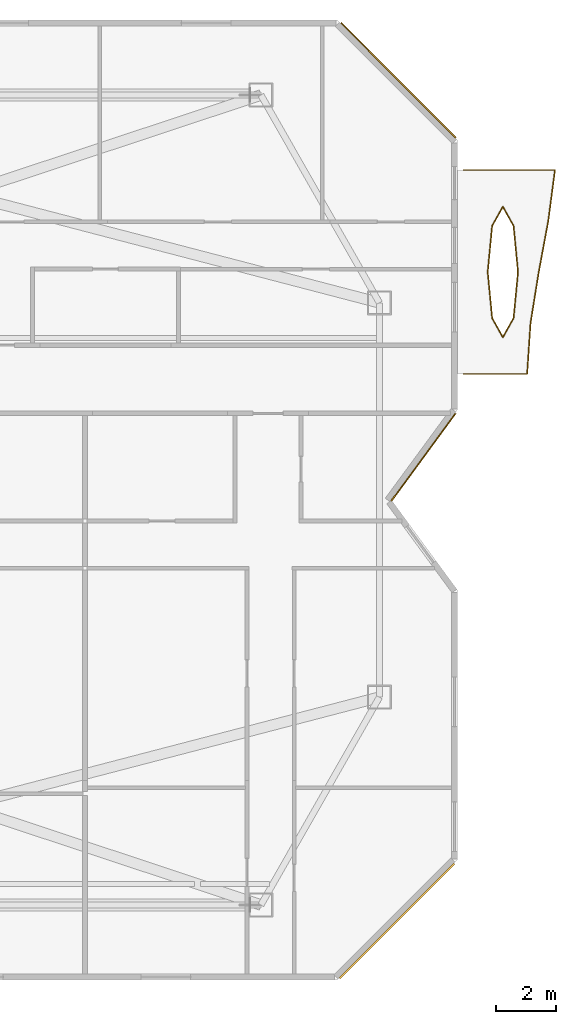
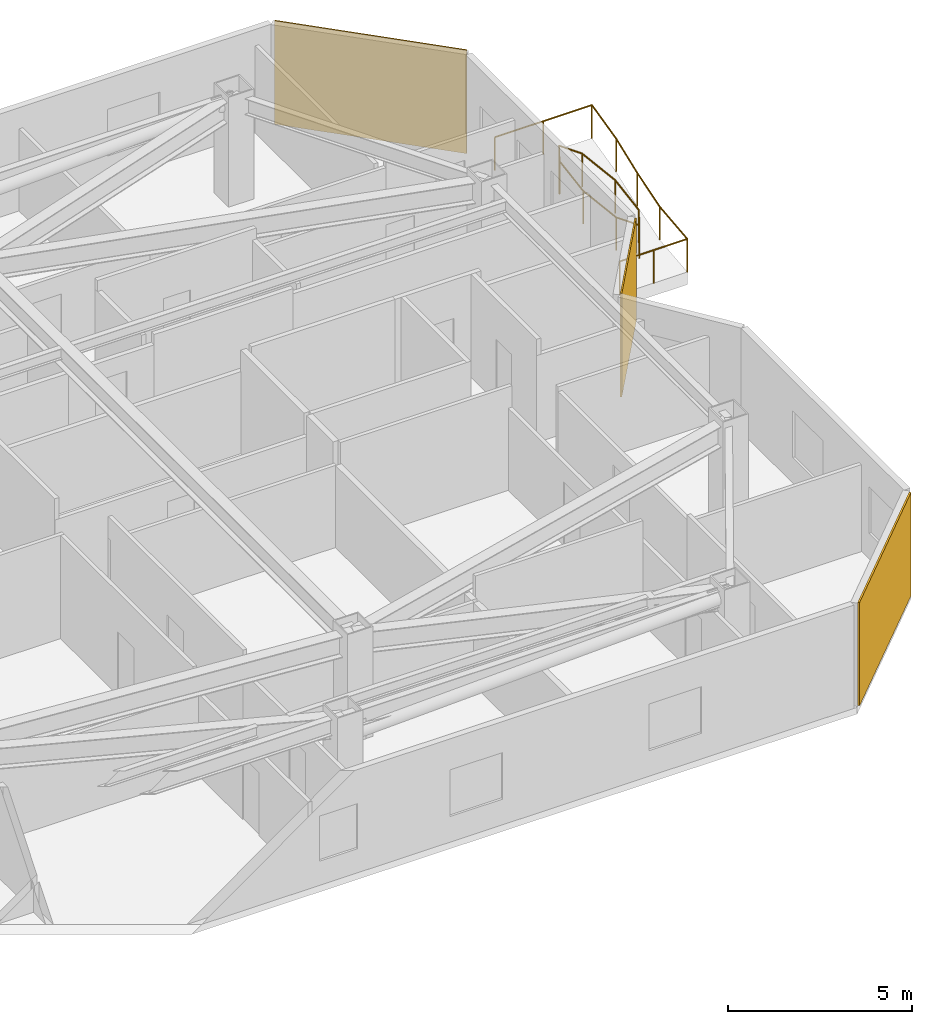
# One storey, part 10 of 10: 4 railings, 3 coverings.
"""IFC4 building model written with IfcOpenShell, lengths in metres."""

import ifcopenshell
import ifcopenshell.guid

model = None  # the IFC model being written
_history = None  # IfcOwnerHistory: only IFC2X3 demands one
_inside = {}  # id of a spatial element -> (the spatial element, [elements in it])
_under = {}  # id of a project, library or spatial element -> (it, [spatial elements below it])
_declared = {}  # id of a project -> (the project, [libraries it declares])
_typed = {}  # id of a type object -> (the type object, [elements of that type])
_made_of = {}  # id of a material, layer set ... -> (it, [elements and type objects made of it])


def new_model(schema):
    """Start an empty IFC model of exactly this schema.

    Asked for "IFC4X3", IfcOpenShell would pick the latest addendum, in which some entities
    have other attributes; the version numbers below select the first issue.
    IFC2X3 requires an IfcOwnerHistory on every rooted entity: one is made here for all.
    """
    global model, _history
    if schema == "IFC4X3":
        model = ifcopenshell.file(schema_version=(4, 3, 0, 0))
    else:
        model = ifcopenshell.file(schema=schema)
    _inside.clear()
    _under.clear()
    _declared.clear()
    _typed.clear()
    _made_of.clear()
    _history = None
    if model.schema == "IFC2X3":
        org = make("IfcOrganization", Name="unknown")
        user = make(
            "IfcPersonAndOrganization",
            ThePerson=make("IfcPerson", FamilyName="unknown"),
            TheOrganization=org,
        )
        app = make(
            "IfcApplication",
            ApplicationDeveloper=org,
            Version="unknown",
            ApplicationFullName="unknown",
            ApplicationIdentifier="unknown",
        )
        _history = make(
            "IfcOwnerHistory",
            OwningUser=user,
            OwningApplication=app,
            ChangeAction="ADDED",
            CreationDate=0,
        )
    return model


def make(cls, **values):
    """One entity of the class cls with the attributes given. An attribute that is None is left unset."""
    return model.create_entity(
        cls, **{name: value for name, value in values.items() if value is not None}
    )


def rooted(cls, **values):
    """An entity with a GlobalId (a new one), such as an element, a storey or a relation."""
    return make(cls, GlobalId=ifcopenshell.guid.new(), OwnerHistory=_history, **values)


def si_unit(unit_type, name, prefix=None):
    """IfcSIUnit, for example si_unit("LENGTHUNIT", "METRE", prefix="MILLI")."""
    return make("IfcSIUnit", UnitType=unit_type, Prefix=prefix, Name=name)


def assignment(units):
    """IfcUnitAssignment: the units of a project."""
    return None if units is None else make("IfcUnitAssignment", Units=units)


def point(xyz):
    """IfcCartesianPoint."""
    return None if xyz is None else make("IfcCartesianPoint", Coordinates=xyz)


def direction(xyz):
    """IfcDirection."""
    return None if xyz is None else make("IfcDirection", DirectionRatios=xyz)


def frame(location, z_axis=None, x_axis=None):
    """IfcAxis2Placement3D, a coordinate frame: its origin and axes. An axis left out is left unset."""
    return make(
        "IfcAxis2Placement3D",
        Location=point(location),
        Axis=direction(z_axis),
        RefDirection=direction(x_axis),
    )


def frame_2d(location, x_axis=None):
    """IfcAxis2Placement2D, a coordinate frame in the plane: its origin and x axis."""
    return make(
        "IfcAxis2Placement2D", Location=point(location), RefDirection=direction(x_axis)
    )


def origin():
    """The frame at (0, 0, 0) with its axes left unset."""
    return frame((0.0, 0.0, 0.0))


def origin_2d():
    """The frame at (0, 0) in the plane with its x axis left unset."""
    return frame_2d((0.0, 0.0))


def place(relative_to, where):
    """IfcLocalPlacement: puts the frame where relative to a parent placement (None: the world)."""
    return make(
        "IfcLocalPlacement", PlacementRelTo=relative_to, RelativePlacement=where
    )


def context(
    kind, dimensions, precision=None, world=None, true_north=None, identifier=None
):
    """IfcGeometricRepresentationContext, for example the 3D "Model" context."""
    return make(
        "IfcGeometricRepresentationContext",
        ContextIdentifier=identifier,
        ContextType=kind,
        CoordinateSpaceDimension=dimensions,
        Precision=precision,
        WorldCoordinateSystem=world,
        TrueNorth=true_north,
    )


def subcontext(parent, identifier, kind, view, scale=None):
    """IfcGeometricRepresentationSubContext, for example "Body" below "Model"."""
    return make(
        "IfcGeometricRepresentationSubContext",
        ContextIdentifier=identifier,
        ContextType=kind,
        ParentContext=parent,
        TargetScale=scale,
        TargetView=view,
    )


def project(units=None, contexts=None):
    """IfcProject with its units and contexts."""
    return rooted(
        "IfcProject",
        Name="project",
        RepresentationContexts=contexts,
        UnitsInContext=assignment(units),
    )


def spatial(cls, under=None, at=None, **own):
    """A site, building, storey or space (cls), placed at a placement, below another one or the project."""
    s = rooted(cls, ObjectPlacement=at, **own)
    if under is not None:
        _under.setdefault(under.id(), (under, []))[1].append(s)
    return s


def profile(cls, at=None, kind="AREA", **sizes):
    """A parametric profile (cls). Its sizes go by their IFC names, for example OverallWidth=200.0."""
    return make(cls, ProfileType=kind, Position=at, **sizes)


def rectangle(**sizes):
    """IfcRectangleProfileDef."""
    return profile("IfcRectangleProfileDef", **sizes)


def circle(**sizes):
    """IfcCircleProfileDef."""
    return profile("IfcCircleProfileDef", **sizes)


def extrude(swept, where, along, depth):
    """IfcExtrudedAreaSolid: the profile swept, set in the frame where, extruded along a direction by depth."""
    return make(
        "IfcExtrudedAreaSolid",
        SweptArea=swept,
        Position=where,
        ExtrudedDirection=direction(along),
        Depth=depth,
    )


def shape(context_of_items, identifier, shape_type, items):
    """IfcShapeRepresentation: the items that make up one representation, for example the "Body"."""
    return make(
        "IfcShapeRepresentation",
        ContextOfItems=context_of_items,
        RepresentationIdentifier=identifier,
        RepresentationType=shape_type,
        Items=items,
    )


def material(Name=None, Category=None):
    """IfcMaterial."""
    return make("IfcMaterial", Name=Name, Category=Category)


def layer(
    of_material, thickness, ventilated=None, Name=None, Category=None, Priority=None
):
    """IfcMaterialLayer: one layer of a wall or slab, of a material (None: an air gap)."""
    return make(
        "IfcMaterialLayer",
        Material=of_material,
        LayerThickness=thickness,
        IsVentilated=ventilated,
        Name=Name,
        Category=Category,
        Priority=Priority,
    )


def layer_set(layers, Name=None):
    """IfcMaterialLayerSet."""
    return make("IfcMaterialLayerSet", MaterialLayers=layers, LayerSetName=Name)


def made_of(thing, what):
    """Note that an element or type object is made of a material, layer set ...; save() writes the relation."""
    if what is not None:
        _made_of.setdefault(what.id(), (what, []))[1].append(thing)
    return thing


def type_object(cls, material=None, **own):
    """A type object (cls), such as IfcWallType, which elements share."""
    return made_of(rooted(cls, **own), material)


def element(
    cls,
    number,
    at=None,
    inside=None,
    cuts=None,
    type_object=None,
    material=None,
    context=None,
    identifier="Body",
    shape_type=None,
    held_by="IfcProductDefinitionShape",
    body=None,
    shapes=None,
    **own,
):
    """One element of the class cls, such as IfcWall. Its Tag is "e" and its number.

    at: its placement. inside: the storey or other place that contains it. cuts: it is an
    opening in that element (IfcRelVoidsElement). A single representation is given by context,
    identifier, shape_type and body (its items); several are given by shapes. held_by: the class
    of the entity that holds the representations. save() writes the other relations.
    """
    e = rooted(cls, Tag="e%d" % number, ObjectPlacement=at, **own)
    if body is not None:
        shapes = [shape(context, identifier, shape_type, body)]
    if shapes is not None:
        e.Representation = make(held_by, Representations=shapes)
    if inside is not None:
        _inside.setdefault(inside.id(), (inside, []))[1].append(e)
    if cuts is not None:
        rooted(
            "IfcRelVoidsElement", RelatingBuildingElement=cuts, RelatedOpeningElement=e
        )
    if type_object is not None:
        _typed.setdefault(type_object.id(), (type_object, []))[1].append(e)
    return made_of(e, material)


def aggregate(whole, parts):
    """IfcRelAggregates: a whole, such as a stair, and the parts it consists of."""
    return rooted("IfcRelAggregates", RelatingObject=whole, RelatedObjects=parts)


def save(model, path):
    """Write the relations noted so far, then the file.

    IfcRelAggregates (storeys below a building ...), IfcRelContainedInSpatialStructure (elements
    in a storey), IfcRelDefinesByType, IfcRelAssociatesMaterial and IfcRelDeclares: one each for
    every whole, place, type object, material and project.
    """
    for whole, parts in _under.values():
        aggregate(whole, parts)
    for where, things in _inside.values():
        rooted(
            "IfcRelContainedInSpatialStructure",
            RelatedElements=things,
            RelatingStructure=where,
        )
    for kind, things in _typed.values():
        rooted("IfcRelDefinesByType", RelatedObjects=things, RelatingType=kind)
    for what, things in _made_of.values():
        rooted("IfcRelAssociatesMaterial", RelatedObjects=things, RelatingMaterial=what)
    for by, libraries in _declared.values():
        rooted("IfcRelDeclares", RelatingContext=by, RelatedDefinitions=libraries)
    model.write(path)


model = new_model("IFC4")

# Units and contexts
model_context = context("Model", 3, precision=1e-05, world=origin(), true_north=direction((0.0, 1.0)))
body_context = subcontext(model_context, "Body", "Model", "MODEL_VIEW")
ifc_project = project(units=[si_unit("LENGTHUNIT", "METRE"), si_unit("AREAUNIT", "SQUARE_METRE"), si_unit("VOLUMEUNIT", "CUBIC_METRE"), si_unit("PLANEANGLEUNIT", "RADIAN"), si_unit("MASSUNIT", "GRAM", prefix="KILO")], contexts=[model_context])

# Site, building, storey
site_placement = place(None, origin())
site = spatial("IfcSite", under=ifc_project, at=site_placement, CompositionType="ELEMENT")
building_placement = place(site_placement, origin())
building = spatial("IfcBuilding", under=site, at=building_placement, Name="Khamvora Tower", CompositionType="ELEMENT")
storey_placement = place(building_placement, frame((0.0, 0.0, 228.14990234375)))
storey = spatial("IfcBuildingStorey", under=building, at=storey_placement, Name="L58", CompositionType="ELEMENT", Elevation=228.14990234375)

# Coverings
ifc_material_1 = material(Name="Pale Anodised Aluminium Rainscreen Panel", Category="aluminium")
ifc_layer_1 = layer(ifc_material_1, 0.044921875)
ifc_layer_set_1 = layer_set([ifc_layer_1], Name="Pale Anodised Aluminium Rainscreen Panel")
covering_type_1 = type_object("IfcCoveringType", Name="COV-CLD-ALU", PredefinedType="CLADDING", material=ifc_layer_set_1)
covering_1_placement = place(storey_placement, frame((67.833984375, 41.990966796875, 0.0), z_axis=(0.0, 0.0, 1.0), x_axis=(0.707106781187, -0.707106781187, 0.0)))
element("IfcCovering", 1, at=covering_1_placement, inside=storey, type_object=covering_type_1, Name="L58 chamfer rainscreen cladding 08.1", PredefinedType="CLADDING", context=body_context, shape_type="SweptSolid", body=[
    extrude(rectangle(XDim=5.4130859375, YDim=0.044921875, at=origin_2d()), origin(), (0.0, 0.0, 1.0), 3.429931640625),
])
covering_2_placement = place(storey_placement, frame((68.66796875, 29.426025390625, 0.0), z_axis=(0.0, 0.0, 1.0), x_axis=(-0.591340294061, -0.806422133017, 0.0)))
element("IfcCovering", 2, at=covering_2_placement, inside=storey, type_object=covering_type_1, Name="L58 chamfer rainscreen cladding 10.1", PredefinedType="CLADDING", context=body_context, shape_type="SweptSolid", body=[
    extrude(rectangle(XDim=3.610107421875, YDim=0.044921875, at=origin_2d()), origin(), (0.0, 0.0, 1.0), 3.429931640625),
])
ifc_material_2 = material(Name="Anodised Bronze Aluminium Spandrel Panel", Category="aluminium")
ifc_layer_2 = layer(ifc_material_2, 0.054931640625)
ifc_layer_set_2 = layer_set([ifc_layer_2], Name="Anodised Bronze Aluminium Spandrel Panel")
covering_type_2 = type_object("IfcCoveringType", Name="COV-CLD-BRZ", PredefinedType="CLADDING", material=ifc_layer_set_2)
covering_3_placement = place(storey_placement, frame((67.7900390625, 13.965087890625, 0.0), z_axis=(0.0, 0.0, 1.0), x_axis=(-0.707106781187, -0.707106781187, 0.0)))
element("IfcCovering", 3, at=covering_3_placement, inside=storey, type_object=covering_type_2, Name="L58 chamfer rainscreen cladding 13.1", PredefinedType="CLADDING", context=body_context, shape_type="SweptSolid", body=[
    extrude(rectangle(XDim=5.409912109375, YDim=0.054931640625, at=origin_2d()), origin(), (0.0, 0.0, 1.0), 3.429931640625),
])

# Railings
ifc_material_3 = material(Name="Stainless Steel 316 and Laminated Glass", Category="steel")
railing_type = type_object("IfcRailingType", Name="RAL-GAL-1120", PredefinedType="GUARDRAIL", material=ifc_material_3)
railing_1_placement = place(storey_placement, frame((70.0, 32.199951171875, 0.0)))
element("IfcRailing", 4, at=railing_1_placement, inside=storey, type_object=railing_type, Name="L58 lens gallery south perimeter guardrail EL2", PredefinedType="GUARDRAIL", context=body_context, shape_type="SweptSolid", body=[
    extrude(circle(Radius=0.02392578125, at=origin_2d()), frame((0.0, 0.0, 1.09619140625), z_axis=(1.0, 0.0, 0.0), x_axis=(0.0, 1.0, 0.0)), (0.0, 0.0, 1.0), 2.125),
    extrude(circle(Radius=0.02392578125, at=origin_2d()), frame((2.125, 0.0, 1.09619140625), z_axis=(0.066918454001, 0.997758447979, 0.0), x_axis=(-0.997758447979, 0.066918454001, 0.0)), (0.0, 0.0, 1.0), 1.703857421875),
    extrude(circle(Radius=0.02392578125, at=origin_2d()), frame((2.239013671875, 1.699951171875, 1.09619140625), z_axis=(0.159063063216, 0.987268424452, 0.0), x_axis=(-0.987268424452, 0.159063063216, 0.0)), (0.0, 0.0, 1.0), 1.72216796875),
    extrude(circle(Radius=0.02099609375, at=origin_2d()), origin(), (0.0, 0.0, 1.0), 1.072021484375),
    extrude(circle(Radius=0.02099609375, at=origin_2d()), frame((1.0625, 0.0, 0.0)), (0.0, 0.0, 1.0), 1.072021484375),
    extrude(circle(Radius=0.02099609375, at=origin_2d()), frame((2.125, 0.0, 0.0)), (0.0, 0.0, 1.0), 1.072021484375),
    extrude(circle(Radius=0.02099609375, at=origin_2d()), frame((2.239013671875, 1.699951171875, 0.0)), (0.0, 0.0, 1.0), 1.072021484375),
    extrude(circle(Radius=0.02099609375, at=origin_2d()), frame((2.512939453125, 3.400146484375, 0.0)), (0.0, 0.0, 1.0), 1.072021484375),
])
railing_2_placement = place(storey_placement, frame((72.512939453125, 35.60009765625, 0.0)))
element("IfcRailing", 5, at=railing_2_placement, inside=storey, type_object=railing_type, Name="L58 lens gallery north perimeter guardrail EL2", PredefinedType="GUARDRAIL", context=body_context, shape_type="SweptSolid", body=[
    extrude(circle(Radius=0.02392578125, at=origin_2d()), frame((0.0, 0.0, 1.09619140625), z_axis=(0.182847614547, 0.983141266479, 0.0), x_axis=(-0.983141266479, 0.182847614547, 0.0)), (0.0, 0.0, 1.0), 1.72900390625),
    extrude(circle(Radius=0.02392578125, at=origin_2d()), frame((0.316162109375, 1.699951171875, 1.09619140625), z_axis=(0.130568692541, 0.991439265174, 0.0), x_axis=(-0.991439265174, 0.130568692541, 0.0)), (0.0, 0.0, 1.0), 1.714599609375),
    extrude(circle(Radius=0.02392578125, at=origin_2d()), frame((0.5400390625, 3.39990234375, 1.09619140625), z_axis=(-1.0, 0.0, 0.0), x_axis=(0.0, -1.0, 0.0)), (0.0, 0.0, 1.0), 3.052978515625),
    extrude(circle(Radius=0.02099609375, at=origin_2d()), origin(), (0.0, 0.0, 1.0), 1.072021484375),
    extrude(circle(Radius=0.02099609375, at=origin_2d()), frame((0.316162109375, 1.699951171875, 0.0)), (0.0, 0.0, 1.0), 1.072021484375),
    extrude(circle(Radius=0.02099609375, at=origin_2d()), frame((0.5400390625, 3.39990234375, 0.0)), (0.0, 0.0, 1.0), 1.072021484375),
    extrude(circle(Radius=0.02099609375, at=origin_2d()), frame((-0.986328125, 3.39990234375, 0.0)), (0.0, 0.0, 1.0), 1.072021484375),
    extrude(circle(Radius=0.02099609375, at=origin_2d()), frame((-2.512939453125, 3.39990234375, 0.0)), (0.0, 0.0, 1.0), 1.072021484375),
])
railing_3_placement = place(storey_placement, frame((71.819091796875, 35.60009765625, 0.0)))
element("IfcRailing", 6, at=railing_3_placement, inside=storey, type_object=railing_type, Name="L58 lens gallery void guardrail EL2A", PredefinedType="GUARDRAIL", context=body_context, shape_type="SweptSolid", body=[
    extrude(circle(Radius=0.02392578125, at=origin_2d()), frame((0.0, 0.0, 1.09619140625), z_axis=(-0.095859855319, 0.995394840321, 0.0), x_axis=(-0.995394840321, -0.095859855319, 0.0)), (0.0, 0.0, 1.0), 1.5458984375),
    extrude(circle(Radius=0.02392578125, at=origin_2d()), frame((-0.148193359375, 1.538818359375, 1.09619140625), z_axis=(-0.487828856646, 0.872939291488, 0.0), x_axis=(-0.872939291488, -0.487828856646, 0.0)), (0.0, 0.0, 1.0), 0.729736328125),
    extrude(circle(Radius=0.02392578125, at=origin_2d()), frame((-0.504150390625, 2.17578125, 1.09619140625), z_axis=(-0.487828856646, -0.872939291488, 0.0), x_axis=(0.872939291488, -0.487828856646, 0.0)), (0.0, 0.0, 1.0), 0.729736328125),
    extrude(circle(Radius=0.02392578125, at=origin_2d()), frame((-0.860107421875, 1.538818359375, 1.09619140625), z_axis=(-0.09570337897, -0.995409897105, 0.0), x_axis=(0.995409897105, -0.09570337897, 0.0)), (0.0, 0.0, 1.0), 1.5458984375),
    extrude(circle(Radius=0.02099609375, at=origin_2d()), origin(), (0.0, 0.0, 1.0), 1.072021484375),
    extrude(circle(Radius=0.02099609375, at=origin_2d()), frame((-0.148193359375, 1.538818359375, 0.0)), (0.0, 0.0, 1.0), 1.072021484375),
    extrude(circle(Radius=0.02099609375, at=origin_2d()), frame((-0.504150390625, 2.17578125, 0.0)), (0.0, 0.0, 1.0), 1.072021484375),
    extrude(circle(Radius=0.02099609375, at=origin_2d()), frame((-0.860107421875, 1.538818359375, 0.0)), (0.0, 0.0, 1.0), 1.072021484375),
    extrude(circle(Radius=0.02099609375, at=origin_2d()), frame((-1.008056640625, 0.0, 0.0)), (0.0, 0.0, 1.0), 1.072021484375),
])
railing_4_placement = place(storey_placement, frame((70.81103515625, 35.60009765625, 0.0)))
element("IfcRailing", 7, at=railing_4_placement, inside=storey, type_object=railing_type, Name="L58 lens gallery void guardrail EL2B", PredefinedType="GUARDRAIL", context=body_context, shape_type="SweptSolid", body=[
    extrude(circle(Radius=0.02392578125, at=origin_2d()), frame((0.0, 0.0, 1.09619140625), z_axis=(0.095688336612, -0.995411343233, 0.0), x_axis=(0.995411343233, 0.095688336612, 0.0)), (0.0, 0.0, 1.0), 1.546142578125),
    extrude(circle(Radius=0.02392578125, at=origin_2d()), frame((0.14794921875, -1.5390625, 1.09619140625), z_axis=(0.487828856646, -0.872939291488, 0.0), x_axis=(0.872939291488, 0.487828856646, 0.0)), (0.0, 0.0, 1.0), 0.729736328125),
    extrude(circle(Radius=0.02392578125, at=origin_2d()), frame((0.50390625, -2.176025390625, 1.09619140625), z_axis=(0.487828856646, 0.872939291488, 0.0), x_axis=(-0.872939291488, 0.487828856646, 0.0)), (0.0, 0.0, 1.0), 0.729736328125),
    extrude(circle(Radius=0.02392578125, at=origin_2d()), frame((0.85986328125, -1.5390625, 1.09619140625), z_axis=(0.095844788822, 0.99539629116, 0.0), x_axis=(-0.99539629116, 0.095844788822, 0.0)), (0.0, 0.0, 1.0), 1.546142578125),
    extrude(circle(Radius=0.02099609375, at=origin_2d()), origin(), (0.0, 0.0, 1.0), 1.072021484375),
    extrude(circle(Radius=0.02099609375, at=origin_2d()), frame((0.14794921875, -1.5390625, 0.0)), (0.0, 0.0, 1.0), 1.072021484375),
    extrude(circle(Radius=0.02099609375, at=origin_2d()), frame((0.50390625, -2.176025390625, 0.0)), (0.0, 0.0, 1.0), 1.072021484375),
    extrude(circle(Radius=0.02099609375, at=origin_2d()), frame((0.85986328125, -1.5390625, 0.0)), (0.0, 0.0, 1.0), 1.072021484375),
    extrude(circle(Radius=0.02099609375, at=origin_2d()), frame((1.008056640625, 0.0, 0.0)), (0.0, 0.0, 1.0), 1.072021484375),
])

save(model, "model.ifc")
